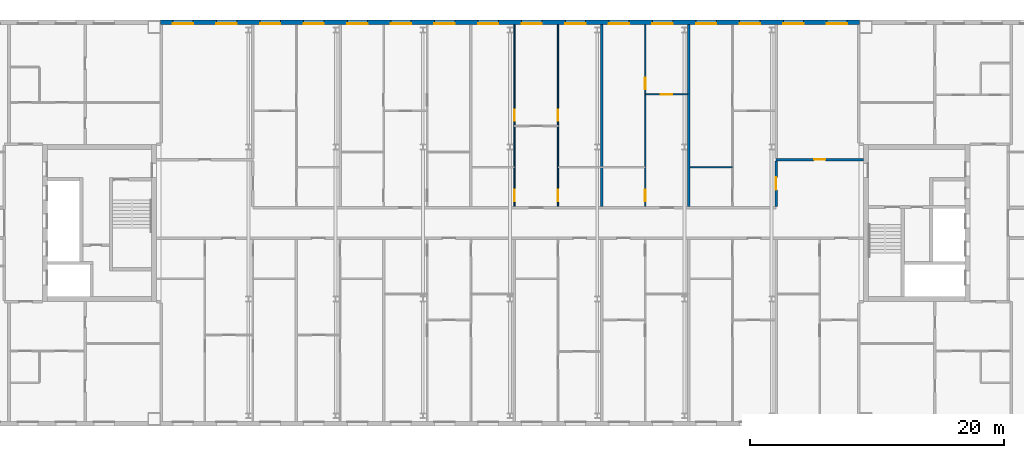
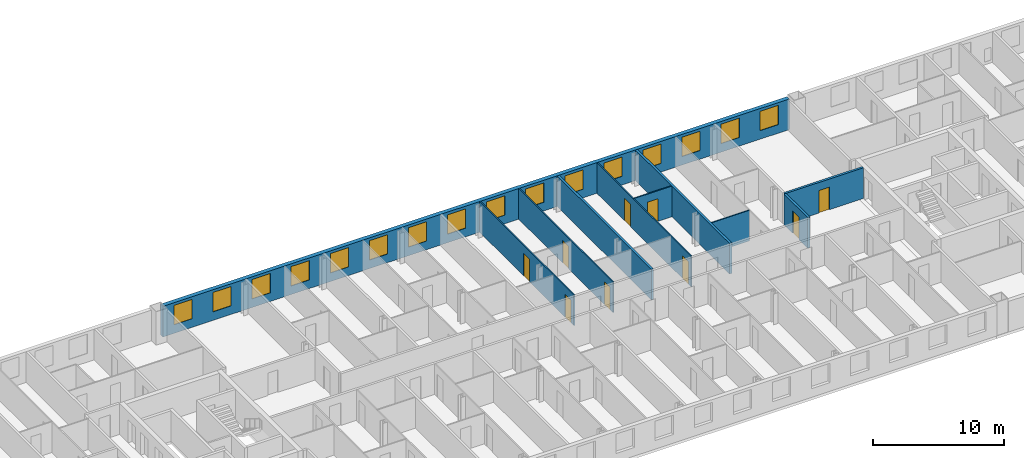
# One storey, part 12 of 19: 16 windows, 10 walls, 9 doors, 25 openings.
"""IFC4 building model written with IfcOpenShell, lengths in metres."""

from ifc_helpers import new_model, si_unit, direction, frame, frame_2d, origin, place, context, subcontext, project, spatial, rectangle, extrude, material, layer, layer_set, type_object, element, fill, save


model = new_model("IFC4")

# Units and contexts
model_context = context("Model", 3, precision=1e-05, world=origin(), true_north=direction((0.0, 1.0)))
body_context = subcontext(model_context, "Body", "Model", "MODEL_VIEW")
ifc_project = project(units=[si_unit("LENGTHUNIT", "METRE"), si_unit("AREAUNIT", "SQUARE_METRE"), si_unit("VOLUMEUNIT", "CUBIC_METRE"), si_unit("PLANEANGLEUNIT", "RADIAN"), si_unit("MASSUNIT", "GRAM", prefix="KILO")], contexts=[model_context])

# Site, building, storey
site_placement = place(None, origin())
site = spatial("IfcSite", under=ifc_project, at=site_placement, CompositionType="ELEMENT")
building_placement = place(site_placement, origin())
building = spatial("IfcBuilding", under=site, at=building_placement, Name="Tuart Gate Housing", CompositionType="ELEMENT")
storey_placement = place(building_placement, frame((0.0, 0.0, 230.699951171875)))
storey = spatial("IfcBuildingStorey", under=building, at=storey_placement, Name="L65", CompositionType="ELEMENT", Elevation=230.699951171875)

# Wall, openings, windows
ifc_material_1 = material(Name="Brick", Category="masonry")
ifc_layer_1 = layer(ifc_material_1, 0.360107421875)
ifc_layer_set_1 = layer_set([ifc_layer_1], Name="Brick pier and spandrel wall 360")
wall_type_1 = type_object("IfcWallType", Name="Brick pier and spandrel wall 360", PredefinedType="STANDARD", material=ifc_layer_set_1)
wall_1_placement = place(storey_placement, frame((131.050048828125, 85.820068359375, 0.0), z_axis=(0.0, 0.0, 1.0), x_axis=(-1.0, 0.0, 0.0)))
wall_1 = element("IfcWall", 1, at=wall_1_placement, inside=storey, type_object=wall_type_1, Name="External wall BLK-N L65", PredefinedType="STANDARD", context=body_context, shape_type="SweptSolid", body=[
    extrude(rectangle(XDim=55.10009765625, YDim=0.360107421875, at=frame_2d((27.550048828125, 0.0))), origin(), (0.0, 0.0, 1.0), 2.85009765625),
])
opening_1_placement = place(wall_1_placement, frame((0.96875, 0.0, 0.800048828125)))
opening_1 = element("IfcOpeningElement", 2, at=opening_1_placement, cuts=wall_1, Name="Opening W1", PredefinedType="OPENING", context=body_context, shape_type="SweptSolid", body=[
    extrude(rectangle(XDim=1.60009765625, YDim=1.800048828125, at=frame_2d((0.800048828125, 0.89990234375))), frame((0.0, 0.18994140625, 0.0), z_axis=(0.0, -1.0, 0.0), x_axis=(1.0, 0.0, 0.0)), (0.0, 0.0, 1.0), 0.380126953125),
])
opening_2_placement = place(wall_1_placement, frame((4.40625, 0.0, 0.800048828125)))
opening_2 = element("IfcOpeningElement", 3, at=opening_2_placement, cuts=wall_1, Name="Opening W1", PredefinedType="OPENING", context=body_context, shape_type="SweptSolid", body=[
    extrude(rectangle(XDim=1.60009765625, YDim=1.800048828125, at=frame_2d((0.800048828125, 0.89990234375))), frame((0.0, 0.18994140625, 0.0), z_axis=(0.0, -1.0, 0.0), x_axis=(1.0, 0.0, 0.0)), (0.0, 0.0, 1.0), 0.380126953125),
])
opening_3_placement = place(wall_1_placement, frame((7.84375, 0.0, 0.800048828125)))
opening_3 = element("IfcOpeningElement", 4, at=opening_3_placement, cuts=wall_1, Name="Opening W1", PredefinedType="OPENING", context=body_context, shape_type="SweptSolid", body=[
    extrude(rectangle(XDim=1.60009765625, YDim=1.800048828125, at=frame_2d((0.800048828125, 0.89990234375))), frame((0.0, 0.18994140625, 0.0), z_axis=(0.0, -1.0, 0.0), x_axis=(1.0, 0.0, 0.0)), (0.0, 0.0, 1.0), 0.380126953125),
])
opening_4_placement = place(wall_1_placement, frame((11.28125, 0.0, 0.800048828125)))
opening_4 = element("IfcOpeningElement", 5, at=opening_4_placement, cuts=wall_1, Name="Opening W1", PredefinedType="OPENING", context=body_context, shape_type="SweptSolid", body=[
    extrude(rectangle(XDim=1.60009765625, YDim=1.800048828125, at=frame_2d((0.800048828125, 0.89990234375))), frame((0.0, 0.18994140625, 0.0), z_axis=(0.0, -1.0, 0.0), x_axis=(1.0, 0.0, 0.0)), (0.0, 0.0, 1.0), 0.380126953125),
])
opening_5_placement = place(wall_1_placement, frame((14.71875, 0.0, 0.800048828125)))
opening_5 = element("IfcOpeningElement", 6, at=opening_5_placement, cuts=wall_1, Name="Opening W1", PredefinedType="OPENING", context=body_context, shape_type="SweptSolid", body=[
    extrude(rectangle(XDim=1.60009765625, YDim=1.800048828125, at=frame_2d((0.800048828125, 0.89990234375))), frame((0.0, 0.18994140625, 0.0), z_axis=(0.0, -1.0, 0.0), x_axis=(1.0, 0.0, 0.0)), (0.0, 0.0, 1.0), 0.380126953125),
])
opening_6_placement = place(wall_1_placement, frame((18.15625, 0.0, 0.800048828125)))
opening_6 = element("IfcOpeningElement", 7, at=opening_6_placement, cuts=wall_1, Name="Opening W1", PredefinedType="OPENING", context=body_context, shape_type="SweptSolid", body=[
    extrude(rectangle(XDim=1.60009765625, YDim=1.800048828125, at=frame_2d((0.800048828125, 0.89990234375))), frame((0.0, 0.18994140625, 0.0), z_axis=(0.0, -1.0, 0.0), x_axis=(1.0, 0.0, 0.0)), (0.0, 0.0, 1.0), 0.380126953125),
])
opening_7_placement = place(wall_1_placement, frame((21.59375, 0.0, 0.800048828125)))
opening_7 = element("IfcOpeningElement", 8, at=opening_7_placement, cuts=wall_1, Name="Opening W1", PredefinedType="OPENING", context=body_context, shape_type="SweptSolid", body=[
    extrude(rectangle(XDim=1.60009765625, YDim=1.800048828125, at=frame_2d((0.800048828125, 0.89990234375))), frame((0.0, 0.18994140625, 0.0), z_axis=(0.0, -1.0, 0.0), x_axis=(1.0, 0.0, 0.0)), (0.0, 0.0, 1.0), 0.380126953125),
])
opening_8_placement = place(wall_1_placement, frame((25.03125, 0.0, 0.800048828125)))
opening_8 = element("IfcOpeningElement", 9, at=opening_8_placement, cuts=wall_1, Name="Opening W1", PredefinedType="OPENING", context=body_context, shape_type="SweptSolid", body=[
    extrude(rectangle(XDim=1.60009765625, YDim=1.800048828125, at=frame_2d((0.800048828125, 0.89990234375))), frame((0.0, 0.18994140625, 0.0), z_axis=(0.0, -1.0, 0.0), x_axis=(1.0, 0.0, 0.0)), (0.0, 0.0, 1.0), 0.380126953125),
])
opening_9_placement = place(wall_1_placement, frame((28.46875, 0.0, 0.800048828125)))
opening_9 = element("IfcOpeningElement", 10, at=opening_9_placement, cuts=wall_1, Name="Opening W1", PredefinedType="OPENING", context=body_context, shape_type="SweptSolid", body=[
    extrude(rectangle(XDim=1.60009765625, YDim=1.800048828125, at=frame_2d((0.800048828125, 0.89990234375))), frame((0.0, 0.18994140625, 0.0), z_axis=(0.0, -1.0, 0.0), x_axis=(1.0, 0.0, 0.0)), (0.0, 0.0, 1.0), 0.380126953125),
])
opening_10_placement = place(wall_1_placement, frame((31.90625, 0.0, 0.800048828125)))
opening_10 = element("IfcOpeningElement", 11, at=opening_10_placement, cuts=wall_1, Name="Opening W1", PredefinedType="OPENING", context=body_context, shape_type="SweptSolid", body=[
    extrude(rectangle(XDim=1.60009765625, YDim=1.800048828125, at=frame_2d((0.800048828125, 0.89990234375))), frame((0.0, 0.18994140625, 0.0), z_axis=(0.0, -1.0, 0.0), x_axis=(1.0, 0.0, 0.0)), (0.0, 0.0, 1.0), 0.380126953125),
])
opening_11_placement = place(wall_1_placement, frame((35.34375, 0.0, 0.800048828125)))
opening_11 = element("IfcOpeningElement", 12, at=opening_11_placement, cuts=wall_1, Name="Opening W1", PredefinedType="OPENING", context=body_context, shape_type="SweptSolid", body=[
    extrude(rectangle(XDim=1.60009765625, YDim=1.800048828125, at=frame_2d((0.800048828125, 0.89990234375))), frame((0.0, 0.18994140625, 0.0), z_axis=(0.0, -1.0, 0.0), x_axis=(1.0, 0.0, 0.0)), (0.0, 0.0, 1.0), 0.380126953125),
])
opening_12_placement = place(wall_1_placement, frame((38.78125, 0.0, 0.800048828125)))
opening_12 = element("IfcOpeningElement", 13, at=opening_12_placement, cuts=wall_1, Name="Opening W1", PredefinedType="OPENING", context=body_context, shape_type="SweptSolid", body=[
    extrude(rectangle(XDim=1.60009765625, YDim=1.800048828125, at=frame_2d((0.800048828125, 0.89990234375))), frame((0.0, 0.18994140625, 0.0), z_axis=(0.0, -1.0, 0.0), x_axis=(1.0, 0.0, 0.0)), (0.0, 0.0, 1.0), 0.380126953125),
])
opening_13_placement = place(wall_1_placement, frame((42.21875, 0.0, 0.800048828125)))
opening_13 = element("IfcOpeningElement", 14, at=opening_13_placement, cuts=wall_1, Name="Opening W1", PredefinedType="OPENING", context=body_context, shape_type="SweptSolid", body=[
    extrude(rectangle(XDim=1.60009765625, YDim=1.800048828125, at=frame_2d((0.800048828125, 0.89990234375))), frame((0.0, 0.18994140625, 0.0), z_axis=(0.0, -1.0, 0.0), x_axis=(1.0, 0.0, 0.0)), (0.0, 0.0, 1.0), 0.380126953125),
])
opening_14_placement = place(wall_1_placement, frame((45.65625, 0.0, 0.800048828125)))
opening_14 = element("IfcOpeningElement", 15, at=opening_14_placement, cuts=wall_1, Name="Opening W1", PredefinedType="OPENING", context=body_context, shape_type="SweptSolid", body=[
    extrude(rectangle(XDim=1.60009765625, YDim=1.800048828125, at=frame_2d((0.800048828125, 0.89990234375))), frame((0.0, 0.18994140625, 0.0), z_axis=(0.0, -1.0, 0.0), x_axis=(1.0, 0.0, 0.0)), (0.0, 0.0, 1.0), 0.380126953125),
])
opening_15_placement = place(wall_1_placement, frame((49.09375, 0.0, 0.800048828125)))
opening_15 = element("IfcOpeningElement", 16, at=opening_15_placement, cuts=wall_1, Name="Opening W1", PredefinedType="OPENING", context=body_context, shape_type="SweptSolid", body=[
    extrude(rectangle(XDim=1.60009765625, YDim=1.800048828125, at=frame_2d((0.800048828125, 0.89990234375))), frame((0.0, 0.18994140625, 0.0), z_axis=(0.0, -1.0, 0.0), x_axis=(1.0, 0.0, 0.0)), (0.0, 0.0, 1.0), 0.380126953125),
])
opening_16_placement = place(wall_1_placement, frame((52.53125, 0.0, 0.800048828125)))
opening_16 = element("IfcOpeningElement", 17, at=opening_16_placement, cuts=wall_1, Name="Opening W1", PredefinedType="OPENING", context=body_context, shape_type="SweptSolid", body=[
    extrude(rectangle(XDim=1.60009765625, YDim=1.800048828125, at=frame_2d((0.800048828125, 0.89990234375))), frame((0.0, 0.18994140625, 0.0), z_axis=(0.0, -1.0, 0.0), x_axis=(1.0, 0.0, 0.0)), (0.0, 0.0, 1.0), 0.380126953125),
])
ifc_material_2 = material(Name="Aluminium frame with clear glass", Category="aluminium")
window_type = type_object("IfcWindowType", Name="Punched window 1600 x 1800", PartitioningType="SINGLE_PANEL", PredefinedType="WINDOW", material=ifc_material_2)
window_1_placement = place(opening_1_placement, origin())
window_1 = element("IfcWindow", 18, at=window_1_placement, inside=storey, type_object=window_type, Name="Window W1", OverallHeight=1.800048828125, OverallWidth=1.60009765625, PartitioningType="SINGLE_PANEL", PredefinedType="WINDOW", context=body_context, shape_type="SweptSolid", body=[
    extrude(rectangle(XDim=1.60009765625, YDim=1.800048828125, at=frame_2d((0.800048828125, 0.89990234375))), frame((0.0, 0.150146484375, 0.0), z_axis=(0.0, -1.0, 0.0), x_axis=(1.0, 0.0, 0.0)), (0.0, 0.0, 1.0), 0.06005859375),
])
fill(opening_1, window_1)
window_2_placement = place(opening_2_placement, origin())
window_2 = element("IfcWindow", 19, at=window_2_placement, inside=storey, type_object=window_type, Name="Window W1", OverallHeight=1.800048828125, OverallWidth=1.60009765625, PartitioningType="SINGLE_PANEL", PredefinedType="WINDOW", context=body_context, shape_type="SweptSolid", body=[
    extrude(rectangle(XDim=1.60009765625, YDim=1.800048828125, at=frame_2d((0.800048828125, 0.89990234375))), frame((0.0, 0.150146484375, 0.0), z_axis=(0.0, -1.0, 0.0), x_axis=(1.0, 0.0, 0.0)), (0.0, 0.0, 1.0), 0.06005859375),
])
fill(opening_2, window_2)
window_3_placement = place(opening_3_placement, origin())
window_3 = element("IfcWindow", 20, at=window_3_placement, inside=storey, type_object=window_type, Name="Window W1", OverallHeight=1.800048828125, OverallWidth=1.60009765625, PartitioningType="SINGLE_PANEL", PredefinedType="WINDOW", context=body_context, shape_type="SweptSolid", body=[
    extrude(rectangle(XDim=1.60009765625, YDim=1.800048828125, at=frame_2d((0.800048828125, 0.89990234375))), frame((0.0, 0.150146484375, 0.0), z_axis=(0.0, -1.0, 0.0), x_axis=(1.0, 0.0, 0.0)), (0.0, 0.0, 1.0), 0.06005859375),
])
fill(opening_3, window_3)
window_4_placement = place(opening_4_placement, origin())
window_4 = element("IfcWindow", 21, at=window_4_placement, inside=storey, type_object=window_type, Name="Window W1", OverallHeight=1.800048828125, OverallWidth=1.60009765625, PartitioningType="SINGLE_PANEL", PredefinedType="WINDOW", context=body_context, shape_type="SweptSolid", body=[
    extrude(rectangle(XDim=1.60009765625, YDim=1.800048828125, at=frame_2d((0.800048828125, 0.89990234375))), frame((0.0, 0.150146484375, 0.0), z_axis=(0.0, -1.0, 0.0), x_axis=(1.0, 0.0, 0.0)), (0.0, 0.0, 1.0), 0.06005859375),
])
fill(opening_4, window_4)
window_5_placement = place(opening_5_placement, origin())
window_5 = element("IfcWindow", 22, at=window_5_placement, inside=storey, type_object=window_type, Name="Window W1", OverallHeight=1.800048828125, OverallWidth=1.60009765625, PartitioningType="SINGLE_PANEL", PredefinedType="WINDOW", context=body_context, shape_type="SweptSolid", body=[
    extrude(rectangle(XDim=1.60009765625, YDim=1.800048828125, at=frame_2d((0.800048828125, 0.89990234375))), frame((0.0, 0.150146484375, 0.0), z_axis=(0.0, -1.0, 0.0), x_axis=(1.0, 0.0, 0.0)), (0.0, 0.0, 1.0), 0.06005859375),
])
fill(opening_5, window_5)
window_6_placement = place(opening_6_placement, origin())
window_6 = element("IfcWindow", 23, at=window_6_placement, inside=storey, type_object=window_type, Name="Window W1", OverallHeight=1.800048828125, OverallWidth=1.60009765625, PartitioningType="SINGLE_PANEL", PredefinedType="WINDOW", context=body_context, shape_type="SweptSolid", body=[
    extrude(rectangle(XDim=1.60009765625, YDim=1.800048828125, at=frame_2d((0.800048828125, 0.89990234375))), frame((0.0, 0.150146484375, 0.0), z_axis=(0.0, -1.0, 0.0), x_axis=(1.0, 0.0, 0.0)), (0.0, 0.0, 1.0), 0.06005859375),
])
fill(opening_6, window_6)
window_7_placement = place(opening_7_placement, origin())
window_7 = element("IfcWindow", 24, at=window_7_placement, inside=storey, type_object=window_type, Name="Window W1", OverallHeight=1.800048828125, OverallWidth=1.60009765625, PartitioningType="SINGLE_PANEL", PredefinedType="WINDOW", context=body_context, shape_type="SweptSolid", body=[
    extrude(rectangle(XDim=1.60009765625, YDim=1.800048828125, at=frame_2d((0.800048828125, 0.89990234375))), frame((0.0, 0.150146484375, 0.0), z_axis=(0.0, -1.0, 0.0), x_axis=(1.0, 0.0, 0.0)), (0.0, 0.0, 1.0), 0.06005859375),
])
fill(opening_7, window_7)
window_8_placement = place(opening_8_placement, origin())
window_8 = element("IfcWindow", 25, at=window_8_placement, inside=storey, type_object=window_type, Name="Window W1", OverallHeight=1.800048828125, OverallWidth=1.60009765625, PartitioningType="SINGLE_PANEL", PredefinedType="WINDOW", context=body_context, shape_type="SweptSolid", body=[
    extrude(rectangle(XDim=1.60009765625, YDim=1.800048828125, at=frame_2d((0.800048828125, 0.89990234375))), frame((0.0, 0.150146484375, 0.0), z_axis=(0.0, -1.0, 0.0), x_axis=(1.0, 0.0, 0.0)), (0.0, 0.0, 1.0), 0.06005859375),
])
fill(opening_8, window_8)
window_9_placement = place(opening_9_placement, origin())
window_9 = element("IfcWindow", 26, at=window_9_placement, inside=storey, type_object=window_type, Name="Window W1", OverallHeight=1.800048828125, OverallWidth=1.60009765625, PartitioningType="SINGLE_PANEL", PredefinedType="WINDOW", context=body_context, shape_type="SweptSolid", body=[
    extrude(rectangle(XDim=1.60009765625, YDim=1.800048828125, at=frame_2d((0.800048828125, 0.89990234375))), frame((0.0, 0.150146484375, 0.0), z_axis=(0.0, -1.0, 0.0), x_axis=(1.0, 0.0, 0.0)), (0.0, 0.0, 1.0), 0.06005859375),
])
fill(opening_9, window_9)
window_10_placement = place(opening_10_placement, origin())
window_10 = element("IfcWindow", 27, at=window_10_placement, inside=storey, type_object=window_type, Name="Window W1", OverallHeight=1.800048828125, OverallWidth=1.60009765625, PartitioningType="SINGLE_PANEL", PredefinedType="WINDOW", context=body_context, shape_type="SweptSolid", body=[
    extrude(rectangle(XDim=1.60009765625, YDim=1.800048828125, at=frame_2d((0.800048828125, 0.89990234375))), frame((0.0, 0.150146484375, 0.0), z_axis=(0.0, -1.0, 0.0), x_axis=(1.0, 0.0, 0.0)), (0.0, 0.0, 1.0), 0.06005859375),
])
fill(opening_10, window_10)
window_11_placement = place(opening_11_placement, origin())
window_11 = element("IfcWindow", 28, at=window_11_placement, inside=storey, type_object=window_type, Name="Window W1", OverallHeight=1.800048828125, OverallWidth=1.60009765625, PartitioningType="SINGLE_PANEL", PredefinedType="WINDOW", context=body_context, shape_type="SweptSolid", body=[
    extrude(rectangle(XDim=1.60009765625, YDim=1.800048828125, at=frame_2d((0.800048828125, 0.89990234375))), frame((0.0, 0.150146484375, 0.0), z_axis=(0.0, -1.0, 0.0), x_axis=(1.0, 0.0, 0.0)), (0.0, 0.0, 1.0), 0.06005859375),
])
fill(opening_11, window_11)
window_12_placement = place(opening_12_placement, origin())
window_12 = element("IfcWindow", 29, at=window_12_placement, inside=storey, type_object=window_type, Name="Window W1", OverallHeight=1.800048828125, OverallWidth=1.60009765625, PartitioningType="SINGLE_PANEL", PredefinedType="WINDOW", context=body_context, shape_type="SweptSolid", body=[
    extrude(rectangle(XDim=1.60009765625, YDim=1.800048828125, at=frame_2d((0.800048828125, 0.89990234375))), frame((0.0, 0.150146484375, 0.0), z_axis=(0.0, -1.0, 0.0), x_axis=(1.0, 0.0, 0.0)), (0.0, 0.0, 1.0), 0.06005859375),
])
fill(opening_12, window_12)
window_13_placement = place(opening_13_placement, origin())
window_13 = element("IfcWindow", 30, at=window_13_placement, inside=storey, type_object=window_type, Name="Window W1", OverallHeight=1.800048828125, OverallWidth=1.60009765625, PartitioningType="SINGLE_PANEL", PredefinedType="WINDOW", context=body_context, shape_type="SweptSolid", body=[
    extrude(rectangle(XDim=1.60009765625, YDim=1.800048828125, at=frame_2d((0.800048828125, 0.89990234375))), frame((0.0, 0.150146484375, 0.0), z_axis=(0.0, -1.0, 0.0), x_axis=(1.0, 0.0, 0.0)), (0.0, 0.0, 1.0), 0.06005859375),
])
fill(opening_13, window_13)
window_14_placement = place(opening_14_placement, origin())
window_14 = element("IfcWindow", 31, at=window_14_placement, inside=storey, type_object=window_type, Name="Window W1", OverallHeight=1.800048828125, OverallWidth=1.60009765625, PartitioningType="SINGLE_PANEL", PredefinedType="WINDOW", context=body_context, shape_type="SweptSolid", body=[
    extrude(rectangle(XDim=1.60009765625, YDim=1.800048828125, at=frame_2d((0.800048828125, 0.89990234375))), frame((0.0, 0.150146484375, 0.0), z_axis=(0.0, -1.0, 0.0), x_axis=(1.0, 0.0, 0.0)), (0.0, 0.0, 1.0), 0.06005859375),
])
fill(opening_14, window_14)
window_15_placement = place(opening_15_placement, origin())
window_15 = element("IfcWindow", 32, at=window_15_placement, inside=storey, type_object=window_type, Name="Window W1", OverallHeight=1.800048828125, OverallWidth=1.60009765625, PartitioningType="SINGLE_PANEL", PredefinedType="WINDOW", context=body_context, shape_type="SweptSolid", body=[
    extrude(rectangle(XDim=1.60009765625, YDim=1.800048828125, at=frame_2d((0.800048828125, 0.89990234375))), frame((0.0, 0.150146484375, 0.0), z_axis=(0.0, -1.0, 0.0), x_axis=(1.0, 0.0, 0.0)), (0.0, 0.0, 1.0), 0.06005859375),
])
fill(opening_15, window_15)
window_16_placement = place(opening_16_placement, origin())
window_16 = element("IfcWindow", 33, at=window_16_placement, inside=storey, type_object=window_type, Name="Window W1", OverallHeight=1.800048828125, OverallWidth=1.60009765625, PartitioningType="SINGLE_PANEL", PredefinedType="WINDOW", context=body_context, shape_type="SweptSolid", body=[
    extrude(rectangle(XDim=1.60009765625, YDim=1.800048828125, at=frame_2d((0.800048828125, 0.89990234375))), frame((0.0, 0.150146484375, 0.0), z_axis=(0.0, -1.0, 0.0), x_axis=(1.0, 0.0, 0.0)), (0.0, 0.0, 1.0), 0.06005859375),
])
fill(opening_16, window_16)

# Wall, opening, door
ifc_material_3 = material(Name="Concrete masonry 15 MPa", Category="masonry")
ifc_layer_2 = layer(ifc_material_3, 0.199951171875)
ifc_layer_set_2 = layer_set([ifc_layer_2], Name="Corridor wall masonry 200")
wall_type_2 = type_object("IfcWallType", Name="Corridor wall masonry 200", PredefinedType="PARTITIONING", material=ifc_layer_set_2)
wall_2_placement = place(storey_placement, frame((124.47509765625, 75.0, 0.0), z_axis=(0.0, 0.0, 1.0), x_axis=(1.0, 0.0, 0.0)))
wall_2 = element("IfcWall", 34, at=wall_2_placement, inside=storey, type_object=wall_type_2, Name="Corridor wall masonry 200", PredefinedType="PARTITIONING", context=body_context, shape_type="SweptSolid", body=[
    extrude(rectangle(XDim=6.885009765625, YDim=0.199951171875, at=frame_2d((3.4423828125, 0.0))), origin(), (0.0, 0.0, 1.0), 2.85009765625),
])
opening_17_placement = place(wall_2_placement, frame((2.992431640625, 0.0, 0.0)))
opening_17 = element("IfcOpeningElement", 35, at=opening_17_placement, cuts=wall_2, Name="Opening D2519", PredefinedType="OPENING", context=body_context, shape_type="SweptSolid", body=[
    extrude(rectangle(XDim=0.89990234375, YDim=2.10009765625, at=frame_2d((0.449951171875, 1.050048828125))), frame((0.0, 0.10986328125, 0.0), z_axis=(0.0, -1.0, 0.0), x_axis=(1.0, 0.0, 0.0)), (0.0, 0.0, 1.0), 0.219970703125),
])
ifc_material_4 = material(Name="Timber door leaf in steel frame", Category="steel")
door_type_1 = type_object("IfcDoorType", Name="Internal door 900", OperationType="SINGLE_SWING_LEFT", PredefinedType="DOOR", material=ifc_material_4)
door_1_placement = place(opening_17_placement, origin())
door_1 = element("IfcDoor", 36, at=door_1_placement, inside=storey, type_object=door_type_1, Name="Internal door", OperationType="SINGLE_SWING_LEFT", OverallHeight=2.10009765625, OverallWidth=0.89990234375, PredefinedType="DOOR", context=body_context, shape_type="SweptSolid", body=[
    extrude(rectangle(XDim=0.89990234375, YDim=2.10009765625, at=frame_2d((0.449951171875, 1.050048828125))), frame((0.0, 0.02490234375, 0.0), z_axis=(0.0, -1.0, 0.0), x_axis=(1.0, 0.0, 0.0)), (0.0, 0.0, 1.0), 0.050048828125),
])
fill(opening_17, door_1)

wall_3_placement = place(storey_placement, frame((124.47509765625, 71.300048828125, 0.0), z_axis=(0.0, 0.0, 1.0), x_axis=(0.0, 1.0, 0.0)))
wall_3 = element("IfcWall", 37, at=wall_3_placement, inside=storey, type_object=wall_type_2, Name="Corridor wall masonry 200", PredefinedType="PARTITIONING", context=body_context, shape_type="SweptSolid", body=[
    extrude(rectangle(XDim=3.599853515625, YDim=0.199951171875, at=frame_2d((1.7998046875, 0.0))), origin(), (0.0, 0.0, 1.0), 2.85009765625),
])
opening_18_placement = place(wall_3_placement, frame((1.300048828125, 0.0, 0.0)))
opening_18 = element("IfcOpeningElement", 38, at=opening_18_placement, cuts=wall_3, Name="Opening D2521", PredefinedType="OPENING", context=body_context, shape_type="SweptSolid", body=[
    extrude(rectangle(XDim=1.0, YDim=2.10009765625, at=frame_2d((0.5, 1.050048828125))), frame((0.0, 0.10986328125, 0.0), z_axis=(0.0, -1.0, 0.0), x_axis=(1.0, 0.0, 0.0)), (0.0, 0.0, 1.0), 0.219970703125),
])
ifc_material_5 = material(Name="Timber door leaf in steel frame", Category="steel")
door_type_2 = type_object("IfcDoorType", Name="Flat entrance door 1000", OperationType="SINGLE_SWING_LEFT", PredefinedType="DOOR", material=ifc_material_5)
door_2_placement = place(opening_18_placement, origin())
door_2 = element("IfcDoor", 39, at=door_2_placement, inside=storey, type_object=door_type_2, Name="Flat entrance door", OperationType="SINGLE_SWING_LEFT", OverallHeight=2.10009765625, OverallWidth=1.0, PredefinedType="DOOR", context=body_context, shape_type="SweptSolid", body=[
    extrude(rectangle(XDim=1.0, YDim=2.10009765625, at=frame_2d((0.5, 1.050048828125))), frame((0.0, 0.02490234375, 0.0), z_axis=(0.0, -1.0, 0.0), x_axis=(1.0, 0.0, 0.0)), (0.0, 0.0, 1.0), 0.050048828125),
])
fill(opening_18, door_2)

# Wall
ifc_material_6 = material(Name="Gypsum board on steel studs", Category="steel")
ifc_layer_3 = layer(ifc_material_6, 0.10009765625)
ifc_layer_set_3 = layer_set([ifc_layer_3], Name="Partition 100")
wall_type_3 = type_object("IfcWallType", Name="Partition 100", PredefinedType="PARTITIONING", material=ifc_layer_set_3)
wall_4_placement = place(storey_placement, frame((117.699951171875, 74.39990234375, 0.0), z_axis=(0.0, 0.0, 1.0), x_axis=(1.0, 0.0, 0.0)))
element("IfcWall", 40, at=wall_4_placement, inside=storey, type_object=wall_type_3, Name="Partition 100", PredefinedType="PARTITIONING", context=body_context, shape_type="SweptSolid", body=[
    extrude(rectangle(XDim=3.337158203125, YDim=0.10009765625, at=frame_2d((1.66845703125, 0.0))), origin(), (0.0, 0.0, 1.0), 2.85009765625),
])

# Wall, opening, door
wall_5_placement = place(storey_placement, frame((114.162109375, 80.139892578125, 0.0), z_axis=(0.0, 0.0, 1.0), x_axis=(1.0, 0.0, 0.0)))
wall_5 = element("IfcWall", 41, at=wall_5_placement, inside=storey, type_object=wall_type_3, Name="Partition 100", PredefinedType="PARTITIONING", context=body_context, shape_type="SweptSolid", body=[
    extrude(rectangle(XDim=3.337890625, YDim=0.10009765625, at=frame_2d((1.6689453125, 0.0))), origin(), (0.0, 0.0, 1.0), 2.85009765625),
])
opening_19_placement = place(wall_5_placement, frame((1.218994140625, 0.0, 0.0)))
opening_19 = element("IfcOpeningElement", 42, at=opening_19_placement, cuts=wall_5, Name="Opening D2499", PredefinedType="OPENING", context=body_context, shape_type="SweptSolid", body=[
    extrude(rectangle(XDim=0.89990234375, YDim=2.10009765625, at=frame_2d((0.449951171875, 1.050048828125))), frame((0.0, 0.06005859375, 0.0), z_axis=(0.0, -1.0, 0.0), x_axis=(1.0, 0.0, 0.0)), (0.0, 0.0, 1.0), 0.1201171875),
])
ifc_material_7 = material(Name="Timber door leaf in steel frame", Category="steel")
door_type_3 = type_object("IfcDoorType", Name="Internal door 900 RH", OperationType="SINGLE_SWING_RIGHT", PredefinedType="DOOR", material=ifc_material_7)
door_3_placement = place(opening_19_placement, frame((0.89990234375, 0.0, 0.0), z_axis=(0.0, 0.0, 1.0), x_axis=(-1.0, 0.0, 0.0)))
door_3 = element("IfcDoor", 43, at=door_3_placement, inside=storey, type_object=door_type_3, Name="Internal door", OperationType="SINGLE_SWING_RIGHT", OverallHeight=2.10009765625, OverallWidth=0.89990234375, PredefinedType="DOOR", context=body_context, shape_type="SweptSolid", body=[
    extrude(rectangle(XDim=0.89990234375, YDim=2.10009765625, at=frame_2d((0.449951171875, 1.050048828125))), frame((0.0, 0.025146484375, 0.0), z_axis=(0.0, -1.0, 0.0), x_axis=(1.0, 0.0, 0.0)), (0.0, 0.0, 1.0), 0.050048828125),
])
fill(opening_19, door_3)

# Wall, openings, doors
wall_6_placement = place(storey_placement, frame((103.85009765625, 71.300048828125, 0.0), z_axis=(0.0, 0.0, 1.0), x_axis=(0.0, 1.0, 0.0)))
wall_6 = element("IfcWall", 44, at=wall_6_placement, inside=storey, type_object=wall_type_3, Name="Partition 100", PredefinedType="PARTITIONING", context=body_context, shape_type="SweptSolid", body=[
    extrude(rectangle(XDim=14.33984375, YDim=0.10009765625, at=frame_2d((7.169921875, 0.0))), origin(), (0.0, 0.0, 1.0), 2.85009765625),
])
opening_20_placement = place(wall_6_placement, frame((6.739990234375, 0.0, 0.0)))
opening_20 = element("IfcOpeningElement", 45, at=opening_20_placement, cuts=wall_6, Name="Opening D2510", PredefinedType="OPENING", context=body_context, shape_type="SweptSolid", body=[
    extrude(rectangle(XDim=0.89990234375, YDim=2.10009765625, at=frame_2d((0.449951171875, 1.050048828125))), frame((0.0, 0.06005859375, 0.0), z_axis=(0.0, -1.0, 0.0), x_axis=(1.0, 0.0, 0.0)), (0.0, 0.0, 1.0), 0.1201171875),
])
opening_21_placement = place(wall_6_placement, frame((0.39990234375, 0.0, 0.0)))
opening_21 = element("IfcOpeningElement", 46, at=opening_21_placement, cuts=wall_6, Name="Opening D2509", PredefinedType="OPENING", context=body_context, shape_type="SweptSolid", body=[
    extrude(rectangle(XDim=0.89990234375, YDim=2.10009765625, at=frame_2d((0.449951171875, 1.050048828125))), frame((0.0, 0.06005859375, 0.0), z_axis=(0.0, -1.0, 0.0), x_axis=(1.0, 0.0, 0.0)), (0.0, 0.0, 1.0), 0.1201171875),
])
ifc_material_8 = material(Name="Timber door leaf in steel frame", Category="steel")
door_type_4 = type_object("IfcDoorType", Name="Bathroom door 900", OperationType="SINGLE_SWING_LEFT", PredefinedType="DOOR", material=ifc_material_8)
door_4_placement = place(opening_21_placement, origin())
door_4 = element("IfcDoor", 47, at=door_4_placement, inside=storey, type_object=door_type_4, Name="Bathroom door", OperationType="SINGLE_SWING_LEFT", OverallHeight=2.10009765625, OverallWidth=0.89990234375, PredefinedType="DOOR", context=body_context, shape_type="SweptSolid", body=[
    extrude(rectangle(XDim=0.89990234375, YDim=2.10009765625, at=frame_2d((0.449951171875, 1.050048828125))), frame((0.0, 0.02490234375, 0.0), z_axis=(0.0, -1.0, 0.0), x_axis=(1.0, 0.0, 0.0)), (0.0, 0.0, 1.0), 0.050048828125),
])
fill(opening_21, door_4)
door_5_placement = place(opening_20_placement, origin())
door_5 = element("IfcDoor", 48, at=door_5_placement, inside=storey, type_object=door_type_1, Name="Internal door", OperationType="SINGLE_SWING_LEFT", OverallHeight=2.10009765625, OverallWidth=0.89990234375, PredefinedType="DOOR", context=body_context, shape_type="SweptSolid", body=[
    extrude(rectangle(XDim=0.89990234375, YDim=2.10009765625, at=frame_2d((0.449951171875, 1.050048828125))), frame((0.0, 0.02490234375, 0.0), z_axis=(0.0, -1.0, 0.0), x_axis=(1.0, 0.0, 0.0)), (0.0, 0.0, 1.0), 0.050048828125),
])
fill(opening_20, door_5)

wall_7_placement = place(storey_placement, frame((107.287109375, 71.300048828125, 0.0), z_axis=(0.0, 0.0, 1.0), x_axis=(0.0, 1.0, 0.0)))
wall_7 = element("IfcWall", 49, at=wall_7_placement, inside=storey, type_object=wall_type_3, Name="Partition 100", PredefinedType="PARTITIONING", context=body_context, shape_type="SweptSolid", body=[
    extrude(rectangle(XDim=14.33984375, YDim=0.10009765625, at=frame_2d((7.169921875, 0.0))), origin(), (0.0, 0.0, 1.0), 2.85009765625),
])
opening_22_placement = place(wall_7_placement, frame((6.739990234375, 0.0, 0.0)))
opening_22 = element("IfcOpeningElement", 50, at=opening_22_placement, cuts=wall_7, Name="Opening D2512", PredefinedType="OPENING", context=body_context, shape_type="SweptSolid", body=[
    extrude(rectangle(XDim=0.89990234375, YDim=2.10009765625, at=frame_2d((0.449951171875, 1.050048828125))), frame((0.0, 0.06005859375, 0.0), z_axis=(0.0, -1.0, 0.0), x_axis=(1.0, 0.0, 0.0)), (0.0, 0.0, 1.0), 0.1201171875),
])
opening_23_placement = place(wall_7_placement, frame((0.39990234375, 0.0, 0.0)))
opening_23 = element("IfcOpeningElement", 51, at=opening_23_placement, cuts=wall_7, Name="Opening D2511", PredefinedType="OPENING", context=body_context, shape_type="SweptSolid", body=[
    extrude(rectangle(XDim=0.89990234375, YDim=2.10009765625, at=frame_2d((0.449951171875, 1.050048828125))), frame((0.0, 0.06005859375, 0.0), z_axis=(0.0, -1.0, 0.0), x_axis=(1.0, 0.0, 0.0)), (0.0, 0.0, 1.0), 0.1201171875),
])
ifc_material_9 = material(Name="Timber door leaf in steel frame", Category="steel")
door_type_5 = type_object("IfcDoorType", Name="Bathroom door 900 RH", OperationType="SINGLE_SWING_RIGHT", PredefinedType="DOOR", material=ifc_material_9)
door_6_placement = place(opening_23_placement, frame((0.89990234375, 0.0, 0.0), z_axis=(0.0, 0.0, 1.0), x_axis=(-1.0, 0.0, 0.0)))
door_6 = element("IfcDoor", 52, at=door_6_placement, inside=storey, type_object=door_type_5, Name="Bathroom door", OperationType="SINGLE_SWING_RIGHT", OverallHeight=2.10009765625, OverallWidth=0.89990234375, PredefinedType="DOOR", context=body_context, shape_type="SweptSolid", body=[
    extrude(rectangle(XDim=0.89990234375, YDim=2.10009765625, at=frame_2d((0.449951171875, 1.050048828125))), frame((0.0, 0.025146484375, 0.0), z_axis=(0.0, -1.0, 0.0), x_axis=(1.0, 0.0, 0.0)), (0.0, 0.0, 1.0), 0.050048828125),
])
fill(opening_23, door_6)
door_7_placement = place(opening_22_placement, frame((0.89990234375, 0.0, 0.0), z_axis=(0.0, 0.0, 1.0), x_axis=(-1.0, 0.0, 0.0)))
door_7 = element("IfcDoor", 53, at=door_7_placement, inside=storey, type_object=door_type_3, Name="Internal door", OperationType="SINGLE_SWING_RIGHT", OverallHeight=2.10009765625, OverallWidth=0.89990234375, PredefinedType="DOOR", context=body_context, shape_type="SweptSolid", body=[
    extrude(rectangle(XDim=0.89990234375, YDim=2.10009765625, at=frame_2d((0.449951171875, 1.050048828125))), frame((0.0, 0.025146484375, 0.0), z_axis=(0.0, -1.0, 0.0), x_axis=(1.0, 0.0, 0.0)), (0.0, 0.0, 1.0), 0.050048828125),
])
fill(opening_22, door_7)

wall_8_placement = place(storey_placement, frame((114.162109375, 71.300048828125, 0.0), z_axis=(0.0, 0.0, 1.0), x_axis=(0.0, 1.0, 0.0)))
wall_8 = element("IfcWall", 54, at=wall_8_placement, inside=storey, type_object=wall_type_3, Name="Partition 100", PredefinedType="PARTITIONING", context=body_context, shape_type="SweptSolid", body=[
    extrude(rectangle(XDim=14.33984375, YDim=0.10009765625, at=frame_2d((7.169921875, 0.0))), origin(), (0.0, 0.0, 1.0), 2.85009765625),
])
opening_24_placement = place(wall_8_placement, frame((9.239990234375, 0.0, 0.0)))
opening_24 = element("IfcOpeningElement", 55, at=opening_24_placement, cuts=wall_8, Name="Opening D2514", PredefinedType="OPENING", context=body_context, shape_type="SweptSolid", body=[
    extrude(rectangle(XDim=0.89990234375, YDim=2.10009765625, at=frame_2d((0.449951171875, 1.050048828125))), frame((0.0, 0.06005859375, 0.0), z_axis=(0.0, -1.0, 0.0), x_axis=(1.0, 0.0, 0.0)), (0.0, 0.0, 1.0), 0.1201171875),
])
opening_25_placement = place(wall_8_placement, frame((0.39990234375, 0.0, 0.0)))
opening_25 = element("IfcOpeningElement", 56, at=opening_25_placement, cuts=wall_8, Name="Opening D2513", PredefinedType="OPENING", context=body_context, shape_type="SweptSolid", body=[
    extrude(rectangle(XDim=0.89990234375, YDim=2.10009765625, at=frame_2d((0.449951171875, 1.050048828125))), frame((0.0, 0.06005859375, 0.0), z_axis=(0.0, -1.0, 0.0), x_axis=(1.0, 0.0, 0.0)), (0.0, 0.0, 1.0), 0.1201171875),
])
door_8_placement = place(opening_25_placement, origin())
door_8 = element("IfcDoor", 57, at=door_8_placement, inside=storey, type_object=door_type_4, Name="Bathroom door", OperationType="SINGLE_SWING_LEFT", OverallHeight=2.10009765625, OverallWidth=0.89990234375, PredefinedType="DOOR", context=body_context, shape_type="SweptSolid", body=[
    extrude(rectangle(XDim=0.89990234375, YDim=2.10009765625, at=frame_2d((0.449951171875, 1.050048828125))), frame((0.0, 0.02490234375, 0.0), z_axis=(0.0, -1.0, 0.0), x_axis=(1.0, 0.0, 0.0)), (0.0, 0.0, 1.0), 0.050048828125),
])
fill(opening_25, door_8)
door_9_placement = place(opening_24_placement, origin())
door_9 = element("IfcDoor", 58, at=door_9_placement, inside=storey, type_object=door_type_3, Name="Internal door", OperationType="SINGLE_SWING_RIGHT", OverallHeight=2.10009765625, OverallWidth=0.89990234375, PredefinedType="DOOR", context=body_context, shape_type="SweptSolid", body=[
    extrude(rectangle(XDim=0.89990234375, YDim=2.10009765625, at=frame_2d((0.449951171875, 1.050048828125))), frame((0.0, 0.02490234375, 0.0), z_axis=(0.0, -1.0, 0.0), x_axis=(1.0, 0.0, 0.0)), (0.0, 0.0, 1.0), 0.050048828125),
])
fill(opening_24, door_9)

# Walls
ifc_material_10 = material(Name="Concrete masonry 15 MPa", Category="masonry")
ifc_layer_4 = layer(ifc_material_10, 0.199951171875)
ifc_layer_set_4 = layer_set([ifc_layer_4], Name="Party wall masonry 200")
wall_type_4 = type_object("IfcWallType", Name="Party wall masonry 200", PredefinedType="PARTITIONING", material=ifc_layer_set_4)
for number, where, z_axis, x_axis, name in (
    (59, (110.72509765625, 71.300048828125, 0.0), (0.0, 0.0, 1.0), (0.0, 1.0, 0.0), "Party wall masonry 200"),
    (60, (117.60009765625, 71.300048828125, 0.0), (0.0, 0.0, 1.0), (0.0, 1.0, 0.0), "Party wall masonry 200"),
):
    element("IfcWall", number, at=place(storey_placement, frame(where, z_axis=z_axis, x_axis=x_axis)), inside=storey, type_object=wall_type_4, Name=name, PredefinedType="PARTITIONING", context=body_context, shape_type="SweptSolid", body=[
        extrude(rectangle(XDim=14.33984375, YDim=0.199951171875, at=frame_2d((7.169921875, 0.0))), origin(), (0.0, 0.0, 1.0), 2.85009765625),
    ])

save(model, "model.ifc")
